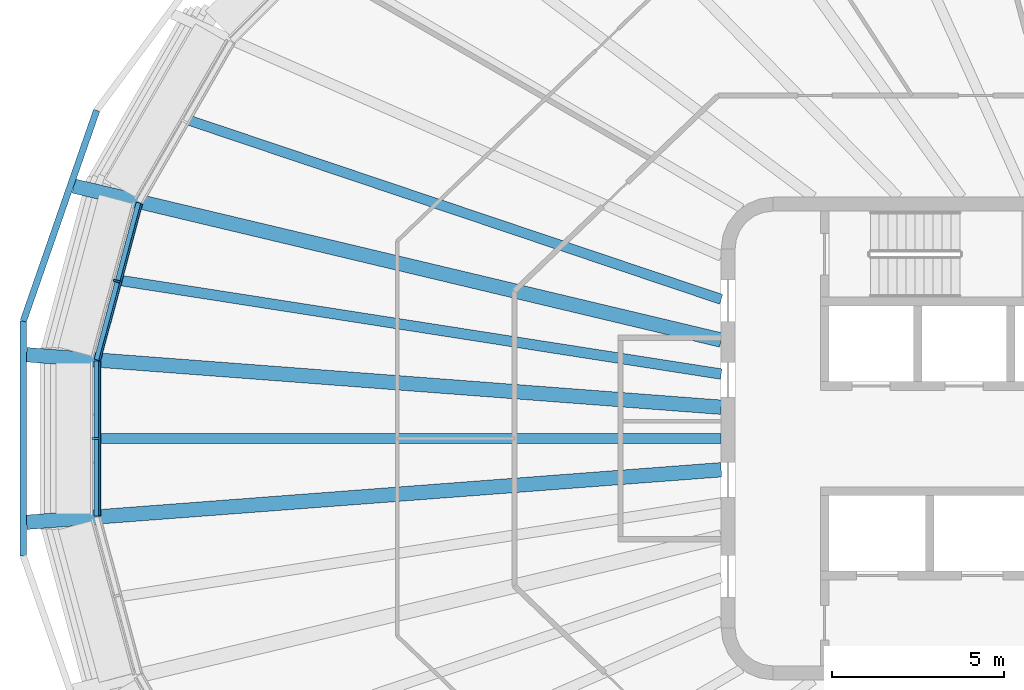
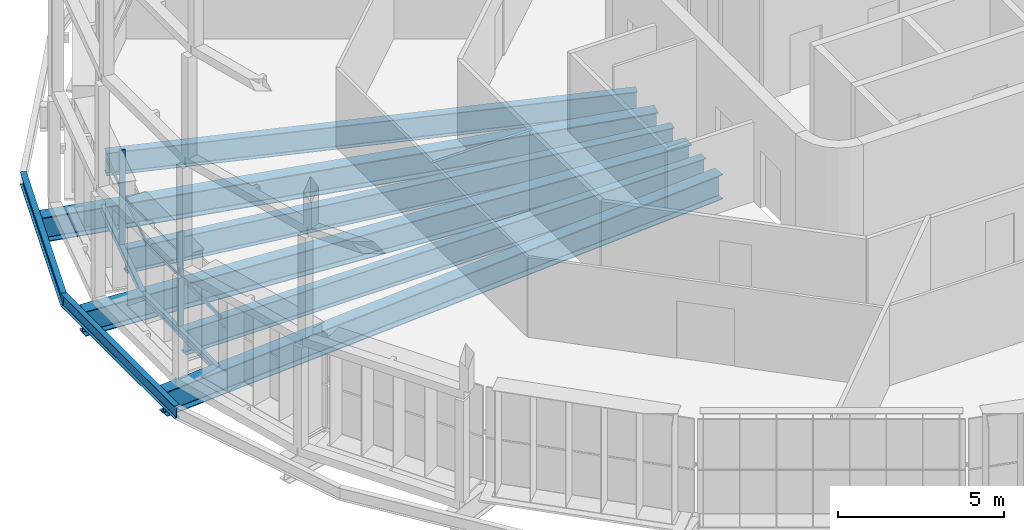
# One storey, part 2 of 21: 10 beams, 4 members, 2 elements without a shape of their own.
"""IFC4 building model written with IfcOpenShell, lengths in metres."""

from ifc_helpers import new_model, si_unit, direction, frame, origin, origin_2d, place, context, subcontext, project, spatial, rectangle, i_section, extrude, material, layer, layer_set, material_profile, profile_set, type_object, element, aggregate, save


model = new_model("IFC4")

# Units and contexts
model_context = context("Model", 3, precision=1e-05, world=origin(), true_north=direction((0.0, 1.0)))
body_context = subcontext(model_context, "Body", "Model", "MODEL_VIEW")
ifc_project = project(units=[si_unit("LENGTHUNIT", "METRE"), si_unit("AREAUNIT", "SQUARE_METRE"), si_unit("VOLUMEUNIT", "CUBIC_METRE"), si_unit("PLANEANGLEUNIT", "RADIAN"), si_unit("MASSUNIT", "GRAM", prefix="KILO")], contexts=[model_context])

# Site, building, storey
site_placement = place(None, origin())
site = spatial("IfcSite", under=ifc_project, at=site_placement, CompositionType="ELEMENT")
building_placement = place(site_placement, origin())
building = spatial("IfcBuilding", under=site, at=building_placement, Name="Sahrelin Media Tower", CompositionType="ELEMENT")
storey_placement = place(building_placement, frame((0.0, 0.0, 259.0)))
storey = spatial("IfcBuildingStorey", under=building, at=storey_placement, Name="L56", CompositionType="ELEMENT", Elevation=259.0)

# Beams
ifc_material_1 = material(Name="Steel S355", Category="steel")
ifc_material_profile_1 = material_profile(ifc_material_1, i_section(OverallWidth=0.14599609375, OverallDepth=0.25146484375, WebThickness=0.006103515625, FlangeThickness=0.008544921875, FilletRadius=0.007568359375, at=origin_2d()), Name="UB 254x146x31")
ifc_profile_set_1 = profile_set([ifc_material_profile_1], Name="Steel S355")
beam_type_1 = type_object("IfcBeamType", Name="Edge beam EB1", PredefinedType="BEAM", material=ifc_profile_set_1)
beam_1_placement = place(storey_placement, frame((-30.12548828125, -2.25439453125, -0.275634765625), z_axis=(0.0, 1.0, 0.0), x_axis=(-1.0, 0.0, 0.0)))
element("IfcBeam", 1, at=beam_1_placement, inside=storey, type_object=beam_type_1, Name="Edge beam L56-13", PredefinedType="BEAM", context=body_context, shape_type="SweptSolid", body=[
    extrude(i_section(OverallWidth=0.14599609375, OverallDepth=0.25146484375, WebThickness=0.006103515625, FlangeThickness=0.008544921875, FilletRadius=0.007568359375, at=origin_2d()), origin(), (0.0, 0.0, 1.0), 4.5087890625),
])
beam_2_placement = place(storey_placement, frame((-30.12158203125, 2.283203125, -0.275634765625), z_axis=(0.25877749363, 0.965936959015, 0.0), x_axis=(-0.965936959015, 0.25877749363, 0.0)))
element("IfcBeam", 2, at=beam_2_placement, inside=storey, type_object=beam_type_1, Name="Edge beam L56-14", PredefinedType="BEAM", context=body_context, shape_type="SweptSolid", body=[
    extrude(i_section(OverallWidth=0.14599609375, OverallDepth=0.25146484375, WebThickness=0.006103515625, FlangeThickness=0.008544921875, FilletRadius=0.007568359375, at=origin_2d()), origin(), (0.0, 0.0, 1.0), 4.71533203125),
])

# Curtain wall, member
ifc_material_2 = material(Name="Champagne anodised aluminium 6063-T6", Category="aluminium")
ifc_layer = layer(ifc_material_2, 0.14990234375)
ifc_layer_set = layer_set([ifc_layer], Name="Tower ribbon curtain wall")
curtain_wall_type = type_object("IfcCurtainWallType", Name="Tower ribbon curtain wall", PredefinedType="NOTDEFINED", material=ifc_layer_set)
curtain_wall_1_placement = place(storey_placement, frame((-29.656494140625, 4.59912109375, 0.0), z_axis=(0.0, 0.0, 1.0), x_axis=(1.0, 0.0, 0.0)))
curtain_wall_1 = element("IfcCurtainWall", 3, at=curtain_wall_1_placement, inside=storey, type_object=curtain_wall_type, Name="L56:CW:L56-11", PredefinedType="NOTDEFINED")
ifc_material_profile_2 = material_profile(ifc_material_2, rectangle(XDim=0.06005859375, YDim=0.199951171875, at=origin_2d()), Name="Mullion 60x200")
ifc_profile_set_2 = profile_set([ifc_material_profile_2], Name="Champagne anodised aluminium 6063-T6")
member_type_1 = type_object("IfcMemberType", Name="Mullion 60x200 CW1C", PredefinedType="MULLION", material=ifc_profile_set_2)
member_1_placement = place(storey_placement, frame((-29.54052734375, 4.568115234375, 0.0), z_axis=(0.0, 0.0, 1.0), x_axis=(-0.258805558208, -0.965929439991, 0.0)))
member_1 = element("IfcMember", 4, at=member_1_placement, type_object=member_type_1, Name="L56:CWM:L56-11", PredefinedType="MULLION", context=body_context, shape_type="SweptSolid", body=[
    extrude(rectangle(XDim=0.06005859375, YDim=0.199951171875, at=origin_2d()), origin(), (0.0, 0.0, 1.0), 3.448486328125),
])

curtain_wall_2_placement = place(storey_placement, frame((-30.275390625, 0.0, 0.0), z_axis=(0.0, 0.0, 1.0), x_axis=(1.0, 0.0, 0.0)))
curtain_wall_2 = element("IfcCurtainWall", 5, at=curtain_wall_2_placement, inside=storey, type_object=curtain_wall_type, Name="L56:CW:L56-12", PredefinedType="NOTDEFINED")
member_2_placement = place(storey_placement, frame((-30.155517578125, 0.0, 0.0), z_axis=(0.0, 0.0, 1.0), x_axis=(0.0, -1.0, 0.0)))
member_2 = element("IfcMember", 6, at=member_2_placement, type_object=member_type_1, Name="L56:CWM:L56-12", PredefinedType="MULLION", context=body_context, shape_type="SweptSolid", body=[
    extrude(rectangle(XDim=0.06005859375, YDim=0.199951171875, at=origin_2d()), origin(), (0.0, 0.0, 1.0), 3.448486328125),
])

# Beams
ifc_material_profile_3 = material_profile(ifc_material_1, i_section(OverallWidth=0.41845703125, OverallDepth=0.911865234375, WebThickness=0.019287109375, FlangeThickness=0.031982421875, FilletRadius=0.024169921875, at=origin_2d()), Name="UB 914x419x343")
ifc_profile_set_3 = profile_set([ifc_material_profile_3], Name="Steel S355")
beam_type_2 = type_object("IfcBeamType", Name="Radial primary beam PB12", PredefinedType="BEAM", material=ifc_profile_set_3)
beam_3_placement = place(storey_placement, frame((-12.0, 2.85546875, -0.60595703125), z_axis=(-0.972837139941, 0.231490602728, 0.0), x_axis=(-0.231490602728, -0.972837139941, 0.0)))
element("IfcBeam", 7, at=beam_3_placement, inside=storey, type_object=beam_type_2, Name="Radial beam L56-11", PredefinedType="BEAM", context=body_context, shape_type="SweptSolid", body=[
    extrude(i_section(OverallWidth=0.41845703125, OverallDepth=0.911865234375, WebThickness=0.019287109375, FlangeThickness=0.031982421875, FilletRadius=0.024169921875, at=origin_2d()), origin(), (0.0, 0.0, 1.0), 19.307373046875),
])
for number, where, z_axis, x_axis, name in (
    (8, (-12.0, 0.9072265625, -0.60595703125), (-0.997154174378, 0.075389339564, 0.0), (-0.075389339564, -0.997154174378, 0.0), "Radial beam L56-12"),
    (9, (-12.0, -0.9072265625, -0.60595703125), (-0.997154174378, -0.075389339564, 0.0), (0.075389339564, -0.997154174378, 0.0), "Radial beam L56-13"),
):
    element("IfcBeam", number, at=place(storey_placement, frame(where, z_axis=z_axis, x_axis=x_axis)), inside=storey, type_object=beam_type_2, Name=name, PredefinedType="BEAM", context=body_context, shape_type="SweptSolid", body=[
        extrude(i_section(OverallWidth=0.41845703125, OverallDepth=0.911865234375, WebThickness=0.019287109375, FlangeThickness=0.031982421875, FilletRadius=0.024169921875, at=origin_2d()), origin(), (0.0, 0.0, 1.0), 20.2109375),
    ])
ifc_material_profile_4 = material_profile(ifc_material_1, i_section(OverallWidth=0.291748046875, OverallDepth=0.8349609375, WebThickness=0.013916015625, FlangeThickness=0.018798828125, FilletRadius=0.017822265625, at=origin_2d()), Name="UB 838x292x176")
ifc_profile_set_4 = profile_set([ifc_material_profile_4], Name="Steel S355")
beam_type_3 = type_object("IfcBeamType", Name="Radial secondary beam SB10", PredefinedType="BEAM", material=ifc_profile_set_4)
beam_4_placement = place(storey_placement, frame((-12.0, 4.03759765625, -0.5673828125), z_axis=(-0.947791754359, 0.318889934568, 0.0), x_axis=(-0.318889934568, -0.947791754359, 0.0)))
element("IfcBeam", 10, at=beam_4_placement, inside=storey, type_object=beam_type_3, Name="Secondary beam L56-10", PredefinedType="BEAM", context=body_context, shape_type="SweptSolid", body=[
    extrude(i_section(OverallWidth=0.291748046875, OverallDepth=0.8349609375, WebThickness=0.013916015625, FlangeThickness=0.018798828125, FilletRadius=0.017822265625, at=origin_2d()), origin(), (0.0, 0.0, 1.0), 16.279541015625),
])
ifc_material_profile_5 = material_profile(ifc_material_1, i_section(OverallWidth=0.30322265625, OverallDepth=0.903076171875, WebThickness=0.01513671875, FlangeThickness=0.020263671875, FilletRadius=0.01904296875, at=origin_2d()), Name="UB 914x305x201")
ifc_profile_set_5 = profile_set([ifc_material_profile_5], Name="Steel S355")
beam_type_4 = type_object("IfcBeamType", Name="Radial secondary beam SB11", PredefinedType="BEAM", material=ifc_profile_set_5)
beam_5_placement = place(storey_placement, frame((-12.0, 1.869384765625, -0.6015625), z_axis=(-0.988083373151, 0.153919614417, 0.0), x_axis=(-0.153919614417, -0.988083373151, 0.0)))
element("IfcBeam", 11, at=beam_5_placement, inside=storey, type_object=beam_type_4, Name="Secondary beam L56-11", PredefinedType="BEAM", context=body_context, shape_type="SweptSolid", body=[
    extrude(i_section(OverallWidth=0.30322265625, OverallDepth=0.903076171875, WebThickness=0.01513671875, FlangeThickness=0.020263671875, FilletRadius=0.01904296875, at=origin_2d()), origin(), (0.0, 0.0, 1.0), 17.6396484375),
])
beam_6_placement = place(storey_placement, frame((-12.0, 0.0, -0.6015625), z_axis=(-1.0, 0.0, 0.0), x_axis=(0.0, -1.0, 0.0)))
element("IfcBeam", 12, at=beam_6_placement, inside=storey, type_object=beam_type_4, Name="Secondary beam L56-12", PredefinedType="BEAM", context=body_context, shape_type="SweptSolid", body=[
    extrude(i_section(OverallWidth=0.30322265625, OverallDepth=0.903076171875, WebThickness=0.01513671875, FlangeThickness=0.020263671875, FilletRadius=0.01904296875, at=origin_2d()), origin(), (0.0, 0.0, 1.0), 18.052490234375),
])
ifc_material_profile_6 = material_profile(ifc_material_1, i_section(OverallWidth=0.1904296875, OverallDepth=0.45703125, WebThickness=0.009033203125, FlangeThickness=0.014404296875, FilletRadius=0.01025390625, at=origin_2d()), Name="UB 457x191x74")
ifc_profile_set_6 = profile_set([ifc_material_profile_6], Name="Steel S355")
beam_type_5 = type_object("IfcBeamType", Name="Tie chord TC5", PredefinedType="BEAM", material=ifc_profile_set_6)
beam_7_placement = place(storey_placement, frame((-30.11962890625, 9.519775390625, -0.37841796875), z_axis=(-0.328777991124, -0.944407238723, 0.0), x_axis=(0.944407238723, -0.328777991124, 0.0)))
element("IfcBeam", 13, at=beam_7_placement, inside=storey, type_object=beam_type_5, Name="Tie chord L56-11", PredefinedType="BEAM", context=body_context, shape_type="SweptSolid", body=[
    extrude(i_section(OverallWidth=0.1904296875, OverallDepth=0.45703125, WebThickness=0.009033203125, FlangeThickness=0.014404296875, FilletRadius=0.01025390625, at=origin_2d()), origin(), (0.0, 0.0, 1.0), 6.47509765625),
])
beam_8_placement = place(storey_placement, frame((-32.24853515625, 3.404541015625, -0.37841796875), z_axis=(0.0, -1.0, 0.0), x_axis=(1.0, 0.0, 0.0)))
element("IfcBeam", 14, at=beam_8_placement, inside=storey, type_object=beam_type_5, Name="Tie chord L56-12", PredefinedType="BEAM", context=body_context, shape_type="SweptSolid", body=[
    extrude(i_section(OverallWidth=0.1904296875, OverallDepth=0.45703125, WebThickness=0.009033203125, FlangeThickness=0.014404296875, FilletRadius=0.01025390625, at=origin_2d()), origin(), (0.0, 0.0, 1.0), 6.80908203125),
])

# Member
ifc_material_profile_7 = material_profile(ifc_material_2, rectangle(XDim=0.050048828125, YDim=0.1201171875, at=origin_2d()), Name="Transom 50x120")
ifc_profile_set_7 = profile_set([ifc_material_profile_7], Name="Champagne anodised aluminium 6063-T6")
member_type_2 = type_object("IfcMemberType", Name="Transom 50x120 CW1C", PredefinedType="USERDEFINED", material=ifc_profile_set_7)
member_3_placement = place(storey_placement, frame((-28.813720703125, 6.798095703125, 1.60009765625), z_axis=(-0.258788191835, -0.965934092869, 0.0), x_axis=(0.965934092869, -0.258788191835, 0.0)))
member_3 = element("IfcMember", 15, at=member_3_placement, type_object=member_type_2, Name="L56:CWT:L56-11", ObjectType="TRANSOM", PredefinedType="USERDEFINED", context=body_context, shape_type="SweptSolid", body=[
    extrude(rectangle(XDim=0.050048828125, YDim=0.1201171875, at=origin_2d()), origin(), (0.0, 0.0, 1.0), 4.68408203125),
])

aggregate(curtain_wall_1, [member_1, member_3])

member_4_placement = place(storey_placement, frame((-30.030517578125, 2.23876953125, 1.60009765625), z_axis=(0.0, -1.0, 0.0), x_axis=(1.0, 0.0, 0.0)))
member_4 = element("IfcMember", 16, at=member_4_placement, type_object=member_type_2, Name="L56:CWT:L56-12", ObjectType="TRANSOM", PredefinedType="USERDEFINED", context=body_context, shape_type="SweptSolid", body=[
    extrude(rectangle(XDim=0.050048828125, YDim=0.1201171875, at=origin_2d()), origin(), (0.0, 0.0, 1.0), 4.4775390625),
])

aggregate(curtain_wall_2, [member_2, member_4])

save(model, "model.ifc")
